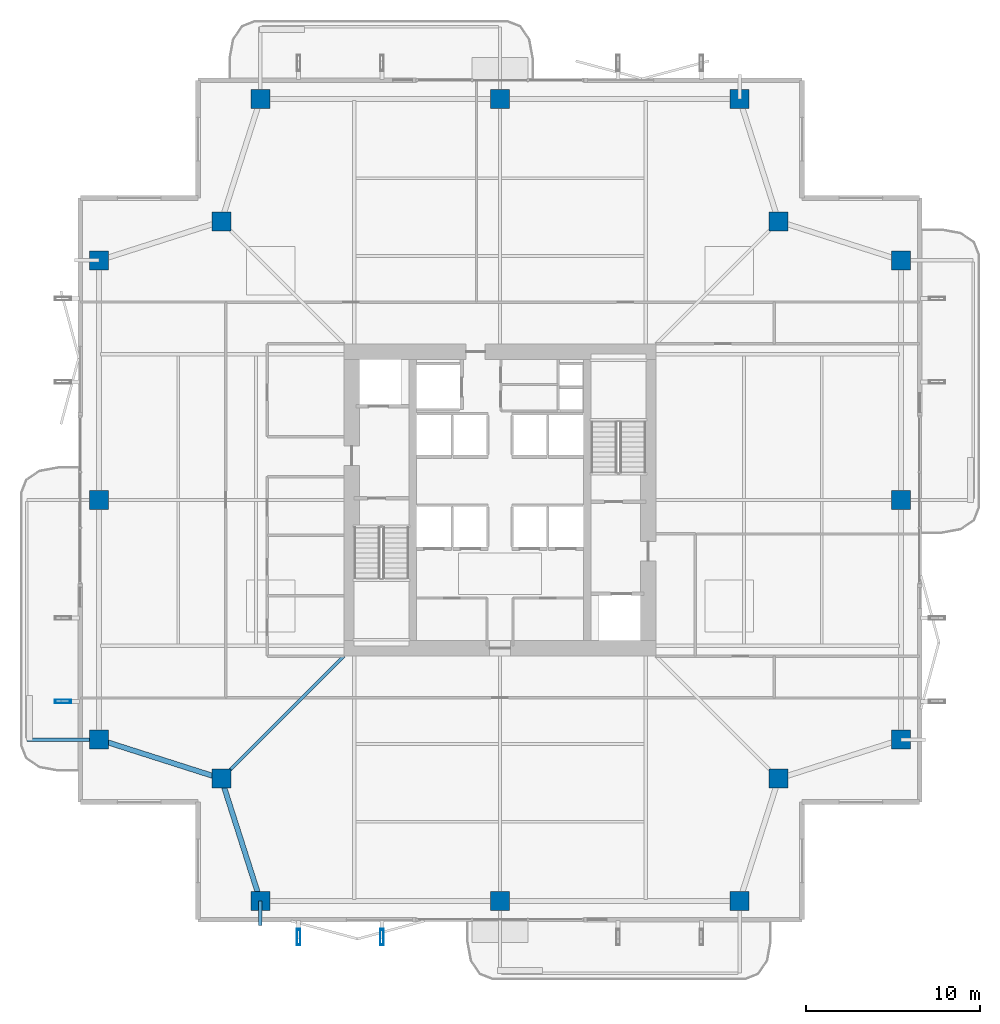
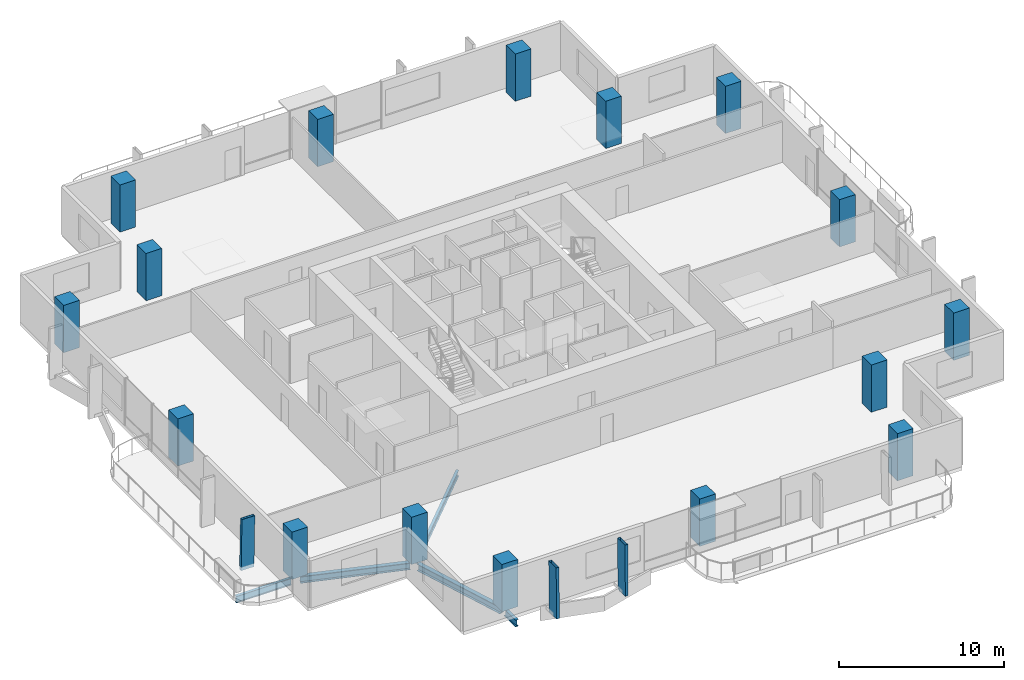
# One storey, part 1 of 25: 16 columns, 5 beams, 3 members.
"""IFC4 building model written with IfcOpenShell, lengths in metres."""

from ifc_helpers import new_model, si_unit, direction, frame, origin, origin_2d, place, context, subcontext, project, spatial, rectangle, hollow_rectangle, i_section, extrude, material, material_profile, profile_set, type_object, element, save


model = new_model("IFC4")

# Units and contexts
model_context = context("Model", 3, precision=1e-05, world=origin(), true_north=direction((0.0, 1.0)))
body_context = subcontext(model_context, "Body", "Model", "MODEL_VIEW")
ifc_project = project(units=[si_unit("LENGTHUNIT", "METRE"), si_unit("AREAUNIT", "SQUARE_METRE"), si_unit("VOLUMEUNIT", "CUBIC_METRE"), si_unit("PLANEANGLEUNIT", "RADIAN"), si_unit("MASSUNIT", "GRAM", prefix="KILO")], contexts=[model_context])

# Site, building, storey
site_placement = place(None, origin())
site = spatial("IfcSite", under=ifc_project, at=site_placement, CompositionType="ELEMENT")
building_placement = place(site_placement, origin())
building = spatial("IfcBuilding", under=site, at=building_placement, Name="Belovzor Exchange Tower", CompositionType="ELEMENT")
storey_placement = place(building_placement, frame((0.0, 0.0, 175.800048828125)))
storey = spatial("IfcBuildingStorey", under=building, at=storey_placement, Name="L43", CompositionType="ELEMENT", Elevation=175.800048828125)

# Columns
ifc_material_1 = material(Name="Concrete C50/60", Category="concrete")
ifc_material_profile_1 = material_profile(ifc_material_1, rectangle(XDim=1.10009765625, YDim=1.10009765625, at=origin_2d()))
ifc_profile_set_1 = profile_set([ifc_material_profile_1], Name="Concrete C50/60")
column_type = type_object("IfcColumnType", Name="Reinforced Concrete Tower Column 1100x1100", PredefinedType="COLUMN", material=ifc_profile_set_1)
for number, where, z_axis, x_axis, name in (
    (1, (15.0, 5.699951171875, 0.0029296875), (0.0, 0.0, 1.0), (1.0, 0.0, 0.0), "COL-T110 Reinforced Concrete Tower Column 1100x1100"),
    (2, (28.800048828125, 5.699951171875, 0.0029296875), (0.0, 0.0, 1.0), (1.0, 0.0, 0.0), "COL-T110 Reinforced Concrete Tower Column 1100x1100"),
    (3, (42.60009765625, 5.699951171875, 0.0029296875), (0.0, 0.0, 1.0), (1.0, 0.0, 0.0), "COL-T110 Reinforced Concrete Tower Column 1100x1100"),
    (4, (51.89990234375, 15.0, 0.0029296875), (0.0, 0.0, 1.0), (1.0, 0.0, 0.0), "COL-T110 Reinforced Concrete Tower Column 1100x1100"),
    (5, (51.89990234375, 28.800048828125, 0.0029296875), (0.0, 0.0, 1.0), (1.0, 0.0, 0.0), "COL-T110 Reinforced Concrete Tower Column 1100x1100"),
    (6, (51.89990234375, 42.60009765625, 0.0029296875), (0.0, 0.0, 1.0), (1.0, 0.0, 0.0), "COL-T110 Reinforced Concrete Tower Column 1100x1100"),
    (7, (42.60009765625, 51.89990234375, 0.0029296875), (0.0, 0.0, 1.0), (1.0, 0.0, 0.0), "COL-T110 Reinforced Concrete Tower Column 1100x1100"),
    (8, (28.800048828125, 51.89990234375, 0.0029296875), (0.0, 0.0, 1.0), (1.0, 0.0, 0.0), "COL-T110 Reinforced Concrete Tower Column 1100x1100"),
    (9, (15.0, 51.89990234375, 0.0029296875), (0.0, 0.0, 1.0), (1.0, 0.0, 0.0), "COL-T110 Reinforced Concrete Tower Column 1100x1100"),
    (10, (5.699951171875, 42.60009765625, 0.0029296875), (0.0, 0.0, 1.0), (1.0, 0.0, 0.0), "COL-T110 Reinforced Concrete Tower Column 1100x1100"),
    (11, (5.699951171875, 28.800048828125, 0.0029296875), (0.0, 0.0, 1.0), (1.0, 0.0, 0.0), "COL-T110 Reinforced Concrete Tower Column 1100x1100"),
    (12, (5.699951171875, 15.0, 0.0029296875), (0.0, 0.0, 1.0), (1.0, 0.0, 0.0), "COL-T110 Reinforced Concrete Tower Column 1100x1100"),
    (13, (12.75, 12.75, 0.0029296875), (0.0, 0.0, 1.0), (1.0, 0.0, 0.0), "COL-T110 Reinforced Concrete Tower Column 1100x1100"),
    (14, (44.85009765625, 12.75, 0.0029296875), (0.0, 0.0, 1.0), (1.0, 0.0, 0.0), "COL-T110 Reinforced Concrete Tower Column 1100x1100"),
    (15, (44.85009765625, 44.85009765625, 0.0029296875), (0.0, 0.0, 1.0), (1.0, 0.0, 0.0), "COL-T110 Reinforced Concrete Tower Column 1100x1100"),
    (16, (12.75, 44.85009765625, 0.0029296875), (0.0, 0.0, 1.0), (1.0, 0.0, 0.0), "COL-T110 Reinforced Concrete Tower Column 1100x1100"),
):
    element("IfcColumn", number, at=place(storey_placement, frame(where, z_axis=z_axis, x_axis=x_axis)), inside=storey, type_object=column_type, Name=name, PredefinedType="COLUMN", context=body_context, shape_type="SweptSolid", body=[
        extrude(rectangle(XDim=1.10009765625, YDim=1.10009765625, at=origin_2d()), origin(), (0.0, 0.0, 1.0), 3.489013671875),
    ])

# Beams
ifc_material_2 = material(Name="Steel S355", Category="steel")
ifc_material_profile_2 = material_profile(ifc_material_2, i_section(OverallWidth=0.199951171875, OverallDepth=0.5, WebThickness=0.01025390625, FlangeThickness=0.01611328125, at=origin_2d()))
ifc_profile_set_2 = profile_set([ifc_material_profile_2], Name="Steel S355")
beam_type_1 = type_object("IfcBeamType", Name="Planted Balcony Cantilever Beam IPE 500", PredefinedType="BEAM", material=ifc_profile_set_2)
beam_1_placement = place(storey_placement, frame((5.39697265625, 15.0, -0.505126953125), z_axis=(-1.0, 0.0, 0.0), x_axis=(0.0, -1.0, 0.0)))
element("IfcBeam", 17, at=beam_1_placement, inside=storey, type_object=beam_type_1, Name="BC-500 Planted Balcony Cantilever Beam IPE 500", PredefinedType="BEAM", context=body_context, shape_type="SweptSolid", body=[
    extrude(i_section(OverallWidth=0.199951171875, OverallDepth=0.5, WebThickness=0.01025390625, FlangeThickness=0.01611328125, at=origin_2d()), origin(), (0.0, 0.0, 1.0), 3.849853515625),
])
beam_2_placement = place(storey_placement, frame((15.0, 5.699951171875, -0.505126953125), z_axis=(0.0, -1.0, 0.0), x_axis=(1.0, 0.0, 0.0)))
element("IfcBeam", 18, at=beam_2_placement, inside=storey, type_object=beam_type_1, Name="BC-500 Planted Balcony Cantilever Beam IPE 500", PredefinedType="BEAM", context=body_context, shape_type="SweptSolid", body=[
    extrude(i_section(OverallWidth=0.199951171875, OverallDepth=0.5, WebThickness=0.01025390625, FlangeThickness=0.01611328125, at=origin_2d()), origin(), (0.0, 0.0, 1.0), 1.39990234375),
])

# Members
ifc_material_3 = material(Name="Extruded Architectural Terracotta on Steel S355 Carrier", Category="masonry")
ifc_material_profile_3 = material_profile(ifc_material_3, hollow_rectangle(XDim=0.199951171875, YDim=0.89990234375, WallThickness=0.011962890625, at=origin_2d()))
ifc_profile_set_3 = profile_set([ifc_material_profile_3], Name="Extruded Architectural Terracotta on Steel S355 Carrier")
member_type = type_object("IfcMemberType", Name="Sweeping Terracotta Baguette Fin Assembly 1250", PredefinedType="USERDEFINED", material=ifc_profile_set_3)
for number, where, z_axis, x_axis, name in (
    (19, (17.199951171875, 3.589111328125, -0.255126953125), (0.0, 0.015427851114, 0.999880983623), (-1.0, 0.0, 0.0), "FIN-TC125 Terracotta Facade Fin L43 S1"),
    (20, (3.589111328125, 17.199951171875, -0.255126953125), (0.015427851114, 0.0, 0.999880983623), (0.0, 1.0, 0.0), "FIN-TC125 Terracotta Facade Fin L43 W1"),
    (21, (22.0, 3.589111328125, -0.255126953125), (0.0, 0.015427851114, 0.999880983623), (-1.0, 0.0, 0.0), "FIN-TC125 Terracotta Facade Fin L43 S2"),
):
    element("IfcMember", number, at=place(storey_placement, frame(where, z_axis=z_axis, x_axis=x_axis)), inside=storey, type_object=member_type, Name=name, ObjectType="FIN", PredefinedType="USERDEFINED", context=body_context, shape_type="SweptSolid", body=[
        extrude(hollow_rectangle(XDim=0.199951171875, YDim=0.89990234375, WallThickness=0.011962890625, at=origin_2d()), origin(), (0.0, 0.0, 1.0), 3.75048828125),
    ])

# Beams
ifc_material_4 = material(Name="Steel S355", Category="steel")
ifc_material_profile_4 = material_profile(ifc_material_4, i_section(OverallWidth=0.18994140625, OverallDepth=0.449951171875, WebThickness=0.009521484375, FlangeThickness=0.0146484375, at=origin_2d()))
ifc_profile_set_4 = profile_set([ifc_material_profile_4], Name="Steel S355")
beam_type_2 = type_object("IfcBeamType", Name="Zone 2-4 Radial Composite Floor Beam IPE 450", PredefinedType="BEAM", material=ifc_profile_set_4)
beam_3_placement = place(storey_placement, frame((19.800048828125, 19.800048828125, -0.47998046875), z_axis=(-0.707106781187, -0.707106781187, 0.0), x_axis=(0.707106781187, -0.707106781187, 0.0)))
element("IfcBeam", 22, at=beam_3_placement, inside=storey, type_object=beam_type_2, Name="FB-450 Zone 2-4 Radial Composite Floor Beam IPE 450", PredefinedType="BEAM", context=body_context, shape_type="SweptSolid", body=[
    extrude(i_section(OverallWidth=0.18994140625, OverallDepth=0.449951171875, WebThickness=0.009521484375, FlangeThickness=0.0146484375, at=origin_2d()), origin(), (0.0, 0.0, 1.0), 9.58154296875),
])
ifc_material_5 = material(Name="Steel S355", Category="steel")
ifc_material_profile_5 = material_profile(ifc_material_5, i_section(OverallWidth=0.300048828125, OverallDepth=0.5, WebThickness=0.014404296875, FlangeThickness=0.028076171875, at=origin_2d()))
ifc_profile_set_5 = profile_set([ifc_material_profile_5], Name="Steel S355")
beam_type_3 = type_object("IfcBeamType", Name="Zone 3 Waist Primary Girder HEB 500", PredefinedType="BEAM", material=ifc_profile_set_5)
for number, where, z_axis, x_axis, name in (
    (23, (12.842041015625, 12.4619140625, -0.505126953125), (0.304011730457, -0.952668288411, 0.0), (0.952668288411, 0.304011730457, 0.0), "FG-Z3 Zone 3 Waist Primary Girder HEB 500"),
    (24, (5.988037109375, 14.907958984375, -0.505126953125), (0.952668288411, -0.304011730457, 0.0), (0.304011730457, 0.952668288411, 0.0), "FG-Z3 Zone 3 Waist Primary Girder HEB 500"),
):
    element("IfcBeam", number, at=place(storey_placement, frame(where, z_axis=z_axis, x_axis=x_axis)), inside=storey, type_object=beam_type_3, Name=name, PredefinedType="BEAM", context=body_context, shape_type="SweptSolid", body=[
        extrude(i_section(OverallWidth=0.300048828125, OverallDepth=0.5, WebThickness=0.014404296875, FlangeThickness=0.028076171875, at=origin_2d()), origin(), (0.0, 0.0, 1.0), 6.79541015625),
    ])

save(model, "model.ifc")
